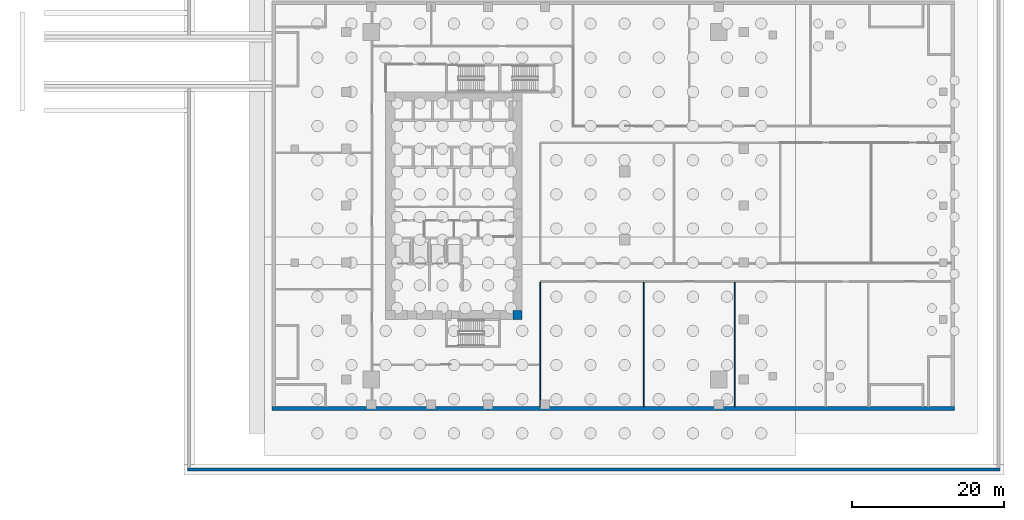
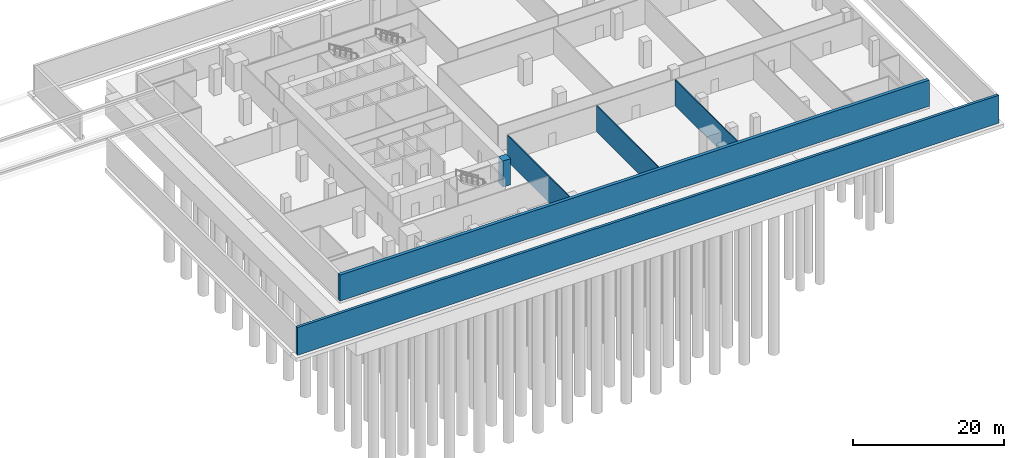
# One storey, part 5 of 10: 6 walls.
"""IFC4 building model written with IfcOpenShell, lengths in metres."""

from ifc_helpers import new_model, si_unit, direction, frame, frame_2d, origin, place, context, subcontext, project, spatial, rectangle, extrude, source, transform, mapped, material, layer, layer_set, type_object, element, save


model = new_model("IFC4")

# Units and contexts
model_context = context("Model", 3, precision=1e-05, world=origin(), true_north=direction((0.0, 1.0)))
body_context = subcontext(model_context, "Body", "Model", "MODEL_VIEW")
ifc_project = project(units=[si_unit("LENGTHUNIT", "METRE"), si_unit("AREAUNIT", "SQUARE_METRE"), si_unit("VOLUMEUNIT", "CUBIC_METRE"), si_unit("PLANEANGLEUNIT", "RADIAN"), si_unit("MASSUNIT", "GRAM", prefix="KILO")], contexts=[model_context])

# Site, building, storey
site_placement = place(None, origin())
site = spatial("IfcSite", under=ifc_project, at=site_placement, CompositionType="ELEMENT")
building_placement = place(site_placement, origin())
building = spatial("IfcBuilding", under=site, at=building_placement, Name="Khomas Fold Tower", CompositionType="ELEMENT")
storey_placement = place(building_placement, frame((0.0, 0.0, -9.0)))
storey = spatial("IfcBuildingStorey", under=building, at=storey_placement, Name="B2", CompositionType="ELEMENT", Elevation=-9.0)

# Walls
ifc_material_1 = material(Name="Concrete C70/85", Category="concrete")
ifc_layer_1 = layer(ifc_material_1, 1.199951171875)
ifc_layer_set_1 = layer_set([ifc_layer_1], Name="Concrete C70/85")
wall_type_1 = type_object("IfcWallType", Name="Core corner wall 1200", PredefinedType="SHEAR", material=ifc_layer_set_1)
shared_shape_1 = source(origin(), body_context, "Body", "SweptSolid", [
    extrude(rectangle(XDim=1.199951171875, YDim=1.199951171875, at=frame_2d((0.60009765625, 0.0))), origin(), (0.0, 0.0, 1.0), 4.199951171875),
])
wall_1_placement = place(storey_placement, frame((22.800048828125, 12.60009765625, 0.0), z_axis=(0.0, 0.0, 1.0), x_axis=(1.0, 0.0, 0.0)))
element("IfcWall", 1, at=wall_1_placement, inside=storey, type_object=wall_type_1, Name="Core wall CW-L-SE-B2", PredefinedType="SHEAR", context=body_context, shape_type="MappedRepresentation", body=[
    mapped(shared_shape_1, transform((0.0, 0.0, 0.0))),
])
ifc_material_2 = material(Name="Concrete C40/50", Category="concrete")
ifc_layer_2 = layer(ifc_material_2, 0.5)
ifc_layer_set_2 = layer_set([ifc_layer_2], Name="Concrete C40/50")
wall_type_2 = type_object("IfcWallType", Name="Basement wall 500", PredefinedType="STANDARD", material=ifc_layer_set_2)
shared_shape_2 = source(origin(), body_context, "Body", "SweptSolid", [
    extrude(rectangle(XDim=90.0, YDim=0.5, at=frame_2d((45.0, 0.0))), origin(), (0.0, 0.0, 1.0), 4.199951171875),
])
wall_2_placement = place(storey_placement, frame((-9.0, 0.25, 0.0), z_axis=(0.0, 0.0, 1.0), x_axis=(1.0, 0.0, 0.0)))
element("IfcWall", 2, at=wall_2_placement, inside=storey, type_object=wall_type_2, Name="Basement wall S", PredefinedType="STANDARD", context=body_context, shape_type="MappedRepresentation", body=[
    mapped(shared_shape_2, transform((0.0, 0.0, 0.0))),
])
ifc_material_3 = material(Name="Concrete C40/50", Category="concrete")
ifc_layer_3 = layer(ifc_material_3, 0.39990234375)
ifc_layer_set_3 = layer_set([ifc_layer_3], Name="Concrete C40/50")
wall_type_3 = type_object("IfcWallType", Name="Plaza retaining wall 400", PredefinedType="SOLIDWALL", material=ifc_layer_set_3)
shared_shape_3 = source(origin(), body_context, "Body", "SweptSolid", [
    extrude(rectangle(XDim=107.09814453125, YDim=0.39990234375, at=frame_2d((53.549072265625, 0.0))), origin(), (0.0, 0.0, 1.0), 4.5),
])
wall_3_placement = place(storey_placement, frame((87.0, -7.800048828125, 0.0), z_axis=(0.0, 0.0, 1.0), x_axis=(-1.0, 0.0, 0.0)))
element("IfcWall", 3, at=wall_3_placement, inside=storey, type_object=wall_type_3, Name="Plaza retaining wall", PredefinedType="SOLIDWALL", context=body_context, shape_type="MappedRepresentation", body=[
    mapped(shared_shape_3, transform((0.0, 0.0, 0.0))),
])
ifc_material_4 = material(Name="Plasterboard fire partition")
ifc_layer_4 = layer(ifc_material_4, 0.14990234375)
ifc_layer_set_4 = layer_set([ifc_layer_4], Name="Plasterboard fire partition")
wall_type_4 = type_object("IfcWallType", Name="Plant room wall PW3 150", PredefinedType="PARTITIONING", material=ifc_layer_set_4)
shared_shape_4 = source(origin(), body_context, "Body", "SweptSolid", [
    extrude(rectangle(XDim=16.39990234375, YDim=0.14990234375, at=frame_2d((8.199951171875, 0.0))), origin(), (0.0, 0.0, 1.0), 4.199951171875),
])
for number, where, z_axis, x_axis, name in (
    (4, (26.39990234375, 0.5, 0.0), (0.0, 0.0, 1.0), (0.0, 1.0, 0.0), "Plant room wall"),
    (5, (40.0, 0.5, 0.0), (0.0, 0.0, 1.0), (0.0, 1.0, 0.0), "Plant room wall"),
    (6, (52.0, 0.5, 0.0), (0.0, 0.0, 1.0), (0.0, 1.0, 0.0), "Plant room wall"),
):
    element("IfcWall", number, at=place(storey_placement, frame(where, z_axis=z_axis, x_axis=x_axis)), inside=storey, type_object=wall_type_4, Name=name, PredefinedType="PARTITIONING", context=body_context, shape_type="MappedRepresentation", body=[
        mapped(shared_shape_4, transform((0.0, 0.0, 0.0))),
    ])

save(model, "model.ifc")
